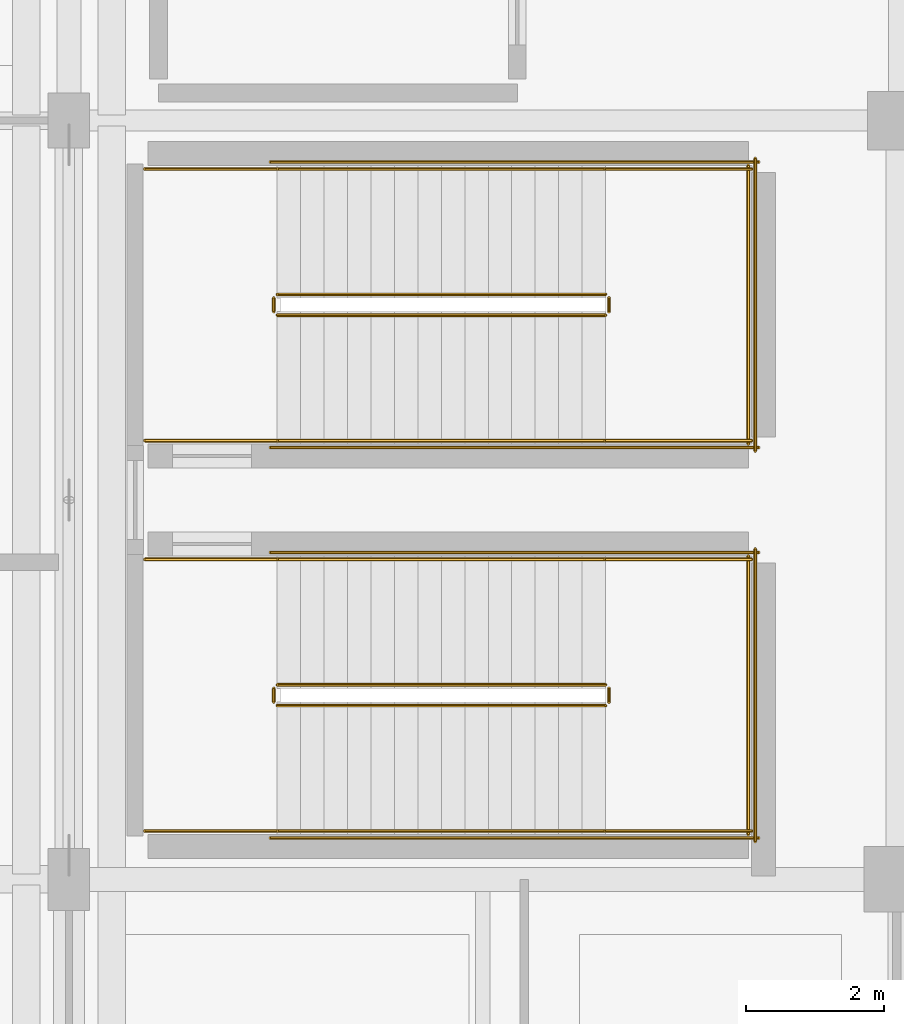
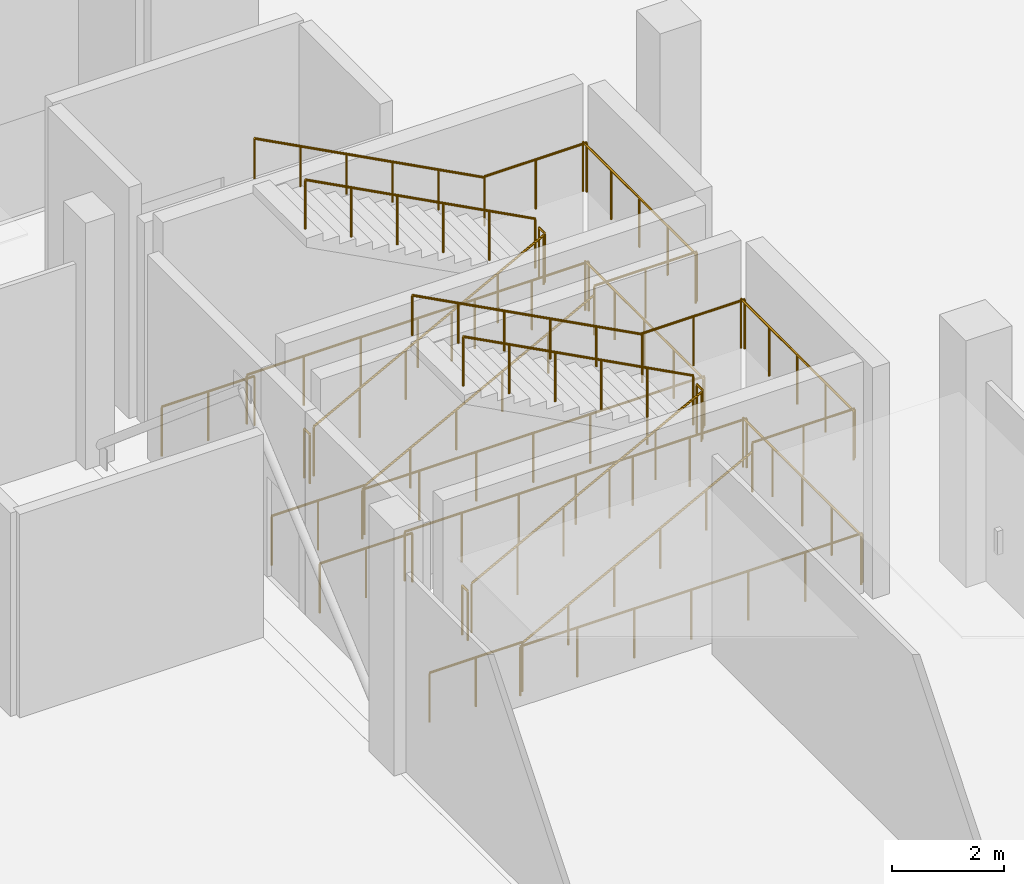
# One storey, part 104 of 120: 28 railings.
"""IFC4 building model written with IfcOpenShell, lengths in metres."""

from ifc_helpers import new_model, si_unit, direction, frame, origin, origin_2d, place, context, subcontext, project, spatial, circle, extrude, material, type_object, element, save


model = new_model("IFC4")

# Units and contexts
model_context = context("Model", 3, precision=1e-05, world=origin(), true_north=direction((0.0, 1.0)))
body_context = subcontext(model_context, "Body", "Model", "MODEL_VIEW")
ifc_project = project(units=[si_unit("LENGTHUNIT", "METRE"), si_unit("AREAUNIT", "SQUARE_METRE"), si_unit("VOLUMEUNIT", "CUBIC_METRE"), si_unit("PLANEANGLEUNIT", "RADIAN"), si_unit("MASSUNIT", "GRAM", prefix="KILO")], contexts=[model_context])

# Site, building, storey
site_placement = place(None, origin())
site = spatial("IfcSite", under=ifc_project, at=site_placement, CompositionType="ELEMENT")
building_placement = place(site_placement, origin())
building = spatial("IfcBuilding", under=site, at=building_placement, Name="Luwafu Chhajja Arena", CompositionType="ELEMENT")
storey_placement = place(building_placement, origin())
storey = spatial("IfcBuildingStorey", under=building, at=storey_placement, Name="L00", CompositionType="ELEMENT", Elevation=0.0)

# Railings
ifc_material_1 = material(Name="Stainless steel handrail", Category="steel")
railing_type_1 = type_object("IfcRailingType", Name="Stair Pitch Wall Handrail 920", PredefinedType="HANDRAIL", material=ifc_material_1)
railing_1_placement = place(storey_placement, frame((37.02001953125, 77.699951171875, 0.179931640625)))
element("IfcRailing", 1, at=railing_1_placement, inside=storey, type_object=railing_type_1, Name="L00 ST-05 stair handrail 1", PredefinedType="HANDRAIL", context=body_context, shape_type="SweptSolid", body=[
    extrude(circle(Radius=0.02392578125, at=origin_2d()), frame((0.0, 0.0, 0.8759765625), z_axis=(0.883786813738, 0.0, 0.467889803119), x_axis=(0.0, 1.0, 0.0)), (0.0, 0.0, 1.0), 5.385986328125),
    extrude(circle(Radius=0.02099609375, at=origin_2d()), origin(), (0.0, 0.0, 1.0), 0.851806640625),
    extrude(circle(Radius=0.02099609375, at=origin_2d()), frame((0.951904296875, 0.0, 0.50390625)), (0.0, 0.0, 1.0), 0.851806640625),
    extrude(circle(Radius=0.02099609375, at=origin_2d()), frame((1.904052734375, 0.0, 1.008056640625)), (0.0, 0.0, 1.0), 0.851806640625),
    extrude(circle(Radius=0.02099609375, at=origin_2d()), frame((2.85595703125, 0.0, 1.511962890625)), (0.0, 0.0, 1.0), 0.851806640625),
    extrude(circle(Radius=0.02099609375, at=origin_2d()), frame((3.80810546875, 0.0, 2.01611328125)), (0.0, 0.0, 1.0), 0.851806640625),
    extrude(circle(Radius=0.02099609375, at=origin_2d()), frame((4.760009765625, 0.0, 2.52001953125)), (0.0, 0.0, 1.0), 0.851806640625),
])
railing_2_placement = place(storey_placement, frame((41.780029296875, 81.639892578125, 2.8798828125)))
element("IfcRailing", 2, at=railing_2_placement, inside=storey, type_object=railing_type_1, Name="L00 ST-05 stair handrail 2", PredefinedType="HANDRAIL", context=body_context, shape_type="SweptSolid", body=[
    extrude(circle(Radius=0.02392578125, at=origin_2d()), frame((0.0, 0.0, 0.8759765625), z_axis=(-0.883786813738, 0.0, 0.467889803119), x_axis=(0.0, -1.0, 0.0)), (0.0, 0.0, 1.0), 5.385986328125),
    extrude(circle(Radius=0.02099609375, at=origin_2d()), origin(), (0.0, 0.0, 1.0), 0.851806640625),
    extrude(circle(Radius=0.02099609375, at=origin_2d()), frame((-0.951904296875, 0.0, 0.50390625)), (0.0, 0.0, 1.0), 0.851806640625),
    extrude(circle(Radius=0.02099609375, at=origin_2d()), frame((-1.904052734375, 0.0, 1.008056640625)), (0.0, 0.0, 1.0), 0.851806640625),
    extrude(circle(Radius=0.02099609375, at=origin_2d()), frame((-2.85595703125, 0.0, 1.511962890625)), (0.0, 0.0, 1.0), 0.851806640625),
    extrude(circle(Radius=0.02099609375, at=origin_2d()), frame((-3.80810546875, 0.0, 2.01611328125)), (0.0, 0.0, 1.0), 0.851806640625),
    extrude(circle(Radius=0.02099609375, at=origin_2d()), frame((-4.760009765625, 0.0, 2.52001953125)), (0.0, 0.0, 1.0), 0.851806640625),
])
railing_3_placement = place(storey_placement, frame((37.02001953125, 83.360107421875, 0.179931640625)))
element("IfcRailing", 3, at=railing_3_placement, inside=storey, type_object=railing_type_1, Name="L00 ST-06 stair handrail 1", PredefinedType="HANDRAIL", context=body_context, shape_type="SweptSolid", body=[
    extrude(circle(Radius=0.02392578125, at=origin_2d()), frame((0.0, 0.0, 0.8759765625), z_axis=(0.883786813738, 0.0, 0.467889803119), x_axis=(0.0, 1.0, 0.0)), (0.0, 0.0, 1.0), 5.385986328125),
    extrude(circle(Radius=0.02099609375, at=origin_2d()), origin(), (0.0, 0.0, 1.0), 0.851806640625),
    extrude(circle(Radius=0.02099609375, at=origin_2d()), frame((0.951904296875, 0.0, 0.50390625)), (0.0, 0.0, 1.0), 0.851806640625),
    extrude(circle(Radius=0.02099609375, at=origin_2d()), frame((1.904052734375, 0.0, 1.008056640625)), (0.0, 0.0, 1.0), 0.851806640625),
    extrude(circle(Radius=0.02099609375, at=origin_2d()), frame((2.85595703125, 0.0, 1.511962890625)), (0.0, 0.0, 1.0), 0.851806640625),
    extrude(circle(Radius=0.02099609375, at=origin_2d()), frame((3.80810546875, 0.0, 2.01611328125)), (0.0, 0.0, 1.0), 0.851806640625),
    extrude(circle(Radius=0.02099609375, at=origin_2d()), frame((4.760009765625, 0.0, 2.52001953125)), (0.0, 0.0, 1.0), 0.851806640625),
])
railing_4_placement = place(storey_placement, frame((41.780029296875, 87.300048828125, 2.8798828125)))
element("IfcRailing", 4, at=railing_4_placement, inside=storey, type_object=railing_type_1, Name="L00 ST-06 stair handrail 2", PredefinedType="HANDRAIL", context=body_context, shape_type="SweptSolid", body=[
    extrude(circle(Radius=0.02392578125, at=origin_2d()), frame((0.0, 0.0, 0.8759765625), z_axis=(-0.883786813738, 0.0, 0.467889803119), x_axis=(0.0, -1.0, 0.0)), (0.0, 0.0, 1.0), 5.385986328125),
    extrude(circle(Radius=0.02099609375, at=origin_2d()), origin(), (0.0, 0.0, 1.0), 0.851806640625),
    extrude(circle(Radius=0.02099609375, at=origin_2d()), frame((-0.951904296875, 0.0, 0.50390625)), (0.0, 0.0, 1.0), 0.851806640625),
    extrude(circle(Radius=0.02099609375, at=origin_2d()), frame((-1.904052734375, 0.0, 1.008056640625)), (0.0, 0.0, 1.0), 0.851806640625),
    extrude(circle(Radius=0.02099609375, at=origin_2d()), frame((-2.85595703125, 0.0, 1.511962890625)), (0.0, 0.0, 1.0), 0.851806640625),
    extrude(circle(Radius=0.02099609375, at=origin_2d()), frame((-3.80810546875, 0.0, 2.01611328125)), (0.0, 0.0, 1.0), 0.851806640625),
    extrude(circle(Radius=0.02099609375, at=origin_2d()), frame((-4.760009765625, 0.0, 2.52001953125)), (0.0, 0.0, 1.0), 0.851806640625),
])
ifc_material_2 = material(Name="Stainless steel balustrade", Category="steel")
railing_type_2 = type_object("IfcRailingType", Name="Stair and Terrace Guard Balustrade 1100", PredefinedType="BALUSTRADE", material=ifc_material_2)
railing_5_placement = place(storey_placement, frame((37.02001953125, 79.52001953125, 0.179931640625)))
element("IfcRailing", 5, at=railing_5_placement, inside=storey, type_object=railing_type_2, Name="L00 ST-05 stair guard 1", PredefinedType="BALUSTRADE", context=body_context, shape_type="SweptSolid", body=[
    extrude(circle(Radius=0.02392578125, at=origin_2d()), frame((0.0, 0.0, 1.076171875), z_axis=(0.883786813738, 0.0, 0.467889803119), x_axis=(0.0, 1.0, 0.0)), (0.0, 0.0, 1.0), 5.385986328125),
    extrude(circle(Radius=0.02099609375, at=origin_2d()), origin(), (0.0, 0.0, 1.0), 1.052001953125),
    extrude(circle(Radius=0.02099609375, at=origin_2d()), frame((0.951904296875, 0.0, 0.50390625)), (0.0, 0.0, 1.0), 1.052001953125),
    extrude(circle(Radius=0.02099609375, at=origin_2d()), frame((1.904052734375, 0.0, 1.008056640625)), (0.0, 0.0, 1.0), 1.052001953125),
    extrude(circle(Radius=0.02099609375, at=origin_2d()), frame((2.85595703125, 0.0, 1.511962890625)), (0.0, 0.0, 1.0), 1.052001953125),
    extrude(circle(Radius=0.02099609375, at=origin_2d()), frame((3.80810546875, 0.0, 2.01611328125)), (0.0, 0.0, 1.0), 1.052001953125),
    extrude(circle(Radius=0.02099609375, at=origin_2d()), frame((4.760009765625, 0.0, 2.52001953125)), (0.0, 0.0, 1.0), 1.052001953125),
])
railing_6_placement = place(storey_placement, frame((41.830078125, 79.570068359375, 2.699951171875)))
element("IfcRailing", 6, at=railing_6_placement, inside=storey, type_object=railing_type_2, Name="L00 ST-05 stair guard 2", PredefinedType="BALUSTRADE", context=body_context, shape_type="SweptSolid", body=[
    extrude(circle(Radius=0.02392578125, at=origin_2d()), frame((0.0, 0.0, 1.076171875), z_axis=(0.0, 1.0, 0.0), x_axis=(-1.0, 0.0, 0.0)), (0.0, 0.0, 1.0), 0.199951171875),
    extrude(circle(Radius=0.02099609375, at=origin_2d()), origin(), (0.0, 0.0, 1.0), 1.052001953125),
    extrude(circle(Radius=0.02099609375, at=origin_2d()), frame((0.0, 0.199951171875, 0.0)), (0.0, 0.0, 1.0), 1.052001953125),
])
for number, where, name in (
    (7, (41.780029296875, 77.699951171875, 2.699951171875), "L00 ST-05 stair guard 3"),
    (8, (41.780029296875, 81.639892578125, 2.699951171875), "L00 ST-05 stair guard 4"),
):
    element("IfcRailing", number, at=place(storey_placement, frame(where)), inside=storey, type_object=railing_type_2, Name=name, PredefinedType="BALUSTRADE", context=body_context, shape_type="SweptSolid", body=[
        extrude(circle(Radius=0.02392578125, at=origin_2d()), frame((0.0, 0.0, 1.076171875), z_axis=(1.0, 0.0, 0.0), x_axis=(0.0, 1.0, 0.0)), (0.0, 0.0, 1.0), 2.119873046875),
        extrude(circle(Radius=0.02099609375, at=origin_2d()), origin(), (0.0, 0.0, 1.0), 1.052001953125),
        extrude(circle(Radius=0.02099609375, at=origin_2d()), frame((1.06005859375, 0.0, 0.0)), (0.0, 0.0, 1.0), 1.052001953125),
        extrude(circle(Radius=0.02099609375, at=origin_2d()), frame((2.119873046875, 0.0, 0.0)), (0.0, 0.0, 1.0), 1.052001953125),
    ])
railing_7_placement = place(storey_placement, frame((43.85009765625, 77.64990234375, 2.699951171875)))
element("IfcRailing", 9, at=railing_7_placement, inside=storey, type_object=railing_type_2, Name="L00 ST-05 stair guard 5", PredefinedType="BALUSTRADE", context=body_context, shape_type="SweptSolid", body=[
    extrude(circle(Radius=0.02392578125, at=origin_2d()), frame((0.0, 0.0, 1.076171875), z_axis=(0.0, 1.0, 0.0), x_axis=(-1.0, 0.0, 0.0)), (0.0, 0.0, 1.0), 4.0400390625),
    extrude(circle(Radius=0.02099609375, at=origin_2d()), origin(), (0.0, 0.0, 1.0), 1.052001953125),
    extrude(circle(Radius=0.02099609375, at=origin_2d()), frame((0.0, 1.010009765625, 0.0)), (0.0, 0.0, 1.0), 1.052001953125),
    extrude(circle(Radius=0.02099609375, at=origin_2d()), frame((0.0, 2.02001953125, 0.0)), (0.0, 0.0, 1.0), 1.052001953125),
    extrude(circle(Radius=0.02099609375, at=origin_2d()), frame((0.0, 3.030029296875, 0.0)), (0.0, 0.0, 1.0), 1.052001953125),
    extrude(circle(Radius=0.02099609375, at=origin_2d()), frame((0.0, 4.0400390625, 0.0)), (0.0, 0.0, 1.0), 1.052001953125),
])
railing_8_placement = place(storey_placement, frame((41.780029296875, 79.820068359375, 2.8798828125)))
element("IfcRailing", 10, at=railing_8_placement, inside=storey, type_object=railing_type_2, Name="L00 ST-05 stair guard 6", PredefinedType="BALUSTRADE", context=body_context, shape_type="SweptSolid", body=[
    extrude(circle(Radius=0.02392578125, at=origin_2d()), frame((0.0, 0.0, 1.076171875), z_axis=(-0.883786813738, 0.0, 0.467889803119), x_axis=(0.0, -1.0, 0.0)), (0.0, 0.0, 1.0), 5.385986328125),
    extrude(circle(Radius=0.02099609375, at=origin_2d()), origin(), (0.0, 0.0, 1.0), 1.052001953125),
    extrude(circle(Radius=0.02099609375, at=origin_2d()), frame((-0.951904296875, 0.0, 0.50390625)), (0.0, 0.0, 1.0), 1.052001953125),
    extrude(circle(Radius=0.02099609375, at=origin_2d()), frame((-1.904052734375, 0.0, 1.008056640625)), (0.0, 0.0, 1.0), 1.052001953125),
    extrude(circle(Radius=0.02099609375, at=origin_2d()), frame((-2.85595703125, 0.0, 1.511962890625)), (0.0, 0.0, 1.0), 1.052001953125),
    extrude(circle(Radius=0.02099609375, at=origin_2d()), frame((-3.80810546875, 0.0, 2.01611328125)), (0.0, 0.0, 1.0), 1.052001953125),
    extrude(circle(Radius=0.02099609375, at=origin_2d()), frame((-4.760009765625, 0.0, 2.52001953125)), (0.0, 0.0, 1.0), 1.052001953125),
])
railing_9_placement = place(storey_placement, frame((36.969970703125, 79.570068359375, 0.0)))
element("IfcRailing", 11, at=railing_9_placement, inside=storey, type_object=railing_type_2, Name="L00 ST-05 stair guard 7", PredefinedType="BALUSTRADE", context=body_context, shape_type="SweptSolid", body=[
    extrude(circle(Radius=0.02392578125, at=origin_2d()), frame((0.0, 0.0, 1.076171875), z_axis=(0.0, 1.0, 0.0), x_axis=(-1.0, 0.0, 0.0)), (0.0, 0.0, 1.0), 0.199951171875),
    extrude(circle(Radius=0.02099609375, at=origin_2d()), origin(), (0.0, 0.0, 1.0), 1.052001953125),
    extrude(circle(Radius=0.02099609375, at=origin_2d()), frame((0.0, 0.199951171875, 0.0)), (0.0, 0.0, 1.0), 1.052001953125),
])
for number, where, name in (
    (12, (35.10009765625, 77.699951171875, 0.0), "L00 ST-05 stair guard 8"),
    (13, (35.10009765625, 81.639892578125, 0.0), "L00 ST-05 stair guard 9"),
):
    element("IfcRailing", number, at=place(storey_placement, frame(where)), inside=storey, type_object=railing_type_2, Name=name, PredefinedType="BALUSTRADE", context=body_context, shape_type="SweptSolid", body=[
        extrude(circle(Radius=0.02392578125, at=origin_2d()), frame((0.0, 0.0, 1.076171875), z_axis=(1.0, 0.0, 0.0), x_axis=(0.0, 1.0, 0.0)), (0.0, 0.0, 1.0), 1.919921875),
        extrude(circle(Radius=0.02099609375, at=origin_2d()), origin(), (0.0, 0.0, 1.0), 1.052001953125),
        extrude(circle(Radius=0.02099609375, at=origin_2d()), frame((0.9599609375, 0.0, 0.0)), (0.0, 0.0, 1.0), 1.052001953125),
        extrude(circle(Radius=0.02099609375, at=origin_2d()), frame((1.919921875, 0.0, 0.0)), (0.0, 0.0, 1.0), 1.052001953125),
    ])
for number, where, name in (
    (14, (36.919921875, 77.60009765625, 0.0), "L00 ST-05 stair guard 10"),
    (15, (36.919921875, 81.739990234375, 0.0), "L00 ST-05 stair guard 11"),
):
    element("IfcRailing", number, at=place(storey_placement, frame(where)), inside=storey, type_object=railing_type_2, Name=name, PredefinedType="BALUSTRADE", context=body_context, shape_type="SweptSolid", body=[
        extrude(circle(Radius=0.02392578125, at=origin_2d()), frame((0.0, 0.0, 1.076171875), z_axis=(1.0, 0.0, 0.0), x_axis=(0.0, 1.0, 0.0)), (0.0, 0.0, 1.0), 7.080078125),
        extrude(circle(Radius=0.02099609375, at=origin_2d()), origin(), (0.0, 0.0, 1.0), 1.052001953125),
        extrude(circle(Radius=0.02099609375, at=origin_2d()), frame((1.179931640625, 0.0, 0.0)), (0.0, 0.0, 1.0), 1.052001953125),
        extrude(circle(Radius=0.02099609375, at=origin_2d()), frame((2.360107421875, 0.0, 0.0)), (0.0, 0.0, 1.0), 1.052001953125),
        extrude(circle(Radius=0.02099609375, at=origin_2d()), frame((3.5400390625, 0.0, 0.0)), (0.0, 0.0, 1.0), 1.052001953125),
        extrude(circle(Radius=0.02099609375, at=origin_2d()), frame((4.719970703125, 0.0, 0.0)), (0.0, 0.0, 1.0), 1.052001953125),
        extrude(circle(Radius=0.02099609375, at=origin_2d()), frame((5.900146484375, 0.0, 0.0)), (0.0, 0.0, 1.0), 1.052001953125),
        extrude(circle(Radius=0.02099609375, at=origin_2d()), frame((7.080078125, 0.0, 0.0)), (0.0, 0.0, 1.0), 1.052001953125),
    ])
railing_10_placement = place(storey_placement, frame((43.949951171875, 77.550048828125, 0.0)))
element("IfcRailing", 16, at=railing_10_placement, inside=storey, type_object=railing_type_2, Name="L00 ST-05 stair guard 12", PredefinedType="BALUSTRADE", context=body_context, shape_type="SweptSolid", body=[
    extrude(circle(Radius=0.02392578125, at=origin_2d()), frame((0.0, 0.0, 1.076171875), z_axis=(0.0, 1.0, 0.0), x_axis=(-1.0, 0.0, 0.0)), (0.0, 0.0, 1.0), 4.239990234375),
    extrude(circle(Radius=0.02099609375, at=origin_2d()), origin(), (0.0, 0.0, 1.0), 1.052001953125),
    extrude(circle(Radius=0.02099609375, at=origin_2d()), frame((0.0, 1.06005859375, 0.0)), (0.0, 0.0, 1.0), 1.052001953125),
    extrude(circle(Radius=0.02099609375, at=origin_2d()), frame((0.0, 2.1201171875, 0.0)), (0.0, 0.0, 1.0), 1.052001953125),
    extrude(circle(Radius=0.02099609375, at=origin_2d()), frame((0.0, 3.179931640625, 0.0)), (0.0, 0.0, 1.0), 1.052001953125),
    extrude(circle(Radius=0.02099609375, at=origin_2d()), frame((0.0, 4.239990234375, 0.0)), (0.0, 0.0, 1.0), 1.052001953125),
])
railing_11_placement = place(storey_placement, frame((37.02001953125, 85.179931640625, 0.179931640625)))
element("IfcRailing", 17, at=railing_11_placement, inside=storey, type_object=railing_type_2, Name="L00 ST-06 stair guard 1", PredefinedType="BALUSTRADE", context=body_context, shape_type="SweptSolid", body=[
    extrude(circle(Radius=0.02392578125, at=origin_2d()), frame((0.0, 0.0, 1.076171875), z_axis=(0.883786813738, 0.0, 0.467889803119), x_axis=(0.0, 1.0, 0.0)), (0.0, 0.0, 1.0), 5.385986328125),
    extrude(circle(Radius=0.02099609375, at=origin_2d()), origin(), (0.0, 0.0, 1.0), 1.052001953125),
    extrude(circle(Radius=0.02099609375, at=origin_2d()), frame((0.951904296875, 0.0, 0.50390625)), (0.0, 0.0, 1.0), 1.052001953125),
    extrude(circle(Radius=0.02099609375, at=origin_2d()), frame((1.904052734375, 0.0, 1.008056640625)), (0.0, 0.0, 1.0), 1.052001953125),
    extrude(circle(Radius=0.02099609375, at=origin_2d()), frame((2.85595703125, 0.0, 1.511962890625)), (0.0, 0.0, 1.0), 1.052001953125),
    extrude(circle(Radius=0.02099609375, at=origin_2d()), frame((3.80810546875, 0.0, 2.01611328125)), (0.0, 0.0, 1.0), 1.052001953125),
    extrude(circle(Radius=0.02099609375, at=origin_2d()), frame((4.760009765625, 0.0, 2.52001953125)), (0.0, 0.0, 1.0), 1.052001953125),
])
railing_12_placement = place(storey_placement, frame((41.830078125, 85.22998046875, 2.699951171875)))
element("IfcRailing", 18, at=railing_12_placement, inside=storey, type_object=railing_type_2, Name="L00 ST-06 stair guard 2", PredefinedType="BALUSTRADE", context=body_context, shape_type="SweptSolid", body=[
    extrude(circle(Radius=0.02392578125, at=origin_2d()), frame((0.0, 0.0, 1.076171875), z_axis=(0.0, 1.0, 0.0), x_axis=(-1.0, 0.0, 0.0)), (0.0, 0.0, 1.0), 0.199951171875),
    extrude(circle(Radius=0.02099609375, at=origin_2d()), origin(), (0.0, 0.0, 1.0), 1.052001953125),
    extrude(circle(Radius=0.02099609375, at=origin_2d()), frame((0.0, 0.199951171875, 0.0)), (0.0, 0.0, 1.0), 1.052001953125),
])
for number, where, name in (
    (19, (41.780029296875, 83.360107421875, 2.699951171875), "L00 ST-06 stair guard 3"),
    (20, (41.780029296875, 87.300048828125, 2.699951171875), "L00 ST-06 stair guard 4"),
):
    element("IfcRailing", number, at=place(storey_placement, frame(where)), inside=storey, type_object=railing_type_2, Name=name, PredefinedType="BALUSTRADE", context=body_context, shape_type="SweptSolid", body=[
        extrude(circle(Radius=0.02392578125, at=origin_2d()), frame((0.0, 0.0, 1.076171875), z_axis=(1.0, 0.0, 0.0), x_axis=(0.0, 1.0, 0.0)), (0.0, 0.0, 1.0), 2.119873046875),
        extrude(circle(Radius=0.02099609375, at=origin_2d()), origin(), (0.0, 0.0, 1.0), 1.052001953125),
        extrude(circle(Radius=0.02099609375, at=origin_2d()), frame((1.06005859375, 0.0, 0.0)), (0.0, 0.0, 1.0), 1.052001953125),
        extrude(circle(Radius=0.02099609375, at=origin_2d()), frame((2.119873046875, 0.0, 0.0)), (0.0, 0.0, 1.0), 1.052001953125),
    ])
railing_13_placement = place(storey_placement, frame((43.85009765625, 83.31005859375, 2.699951171875)))
element("IfcRailing", 21, at=railing_13_placement, inside=storey, type_object=railing_type_2, Name="L00 ST-06 stair guard 5", PredefinedType="BALUSTRADE", context=body_context, shape_type="SweptSolid", body=[
    extrude(circle(Radius=0.02392578125, at=origin_2d()), frame((0.0, 0.0, 1.076171875), z_axis=(0.0, 1.0, 0.0), x_axis=(-1.0, 0.0, 0.0)), (0.0, 0.0, 1.0), 4.0400390625),
    extrude(circle(Radius=0.02099609375, at=origin_2d()), origin(), (0.0, 0.0, 1.0), 1.052001953125),
    extrude(circle(Radius=0.02099609375, at=origin_2d()), frame((0.0, 1.010009765625, 0.0)), (0.0, 0.0, 1.0), 1.052001953125),
    extrude(circle(Radius=0.02099609375, at=origin_2d()), frame((0.0, 2.02001953125, 0.0)), (0.0, 0.0, 1.0), 1.052001953125),
    extrude(circle(Radius=0.02099609375, at=origin_2d()), frame((0.0, 3.030029296875, 0.0)), (0.0, 0.0, 1.0), 1.052001953125),
    extrude(circle(Radius=0.02099609375, at=origin_2d()), frame((0.0, 4.0400390625, 0.0)), (0.0, 0.0, 1.0), 1.052001953125),
])
railing_14_placement = place(storey_placement, frame((41.780029296875, 85.47998046875, 2.8798828125)))
element("IfcRailing", 22, at=railing_14_placement, inside=storey, type_object=railing_type_2, Name="L00 ST-06 stair guard 6", PredefinedType="BALUSTRADE", context=body_context, shape_type="SweptSolid", body=[
    extrude(circle(Radius=0.02392578125, at=origin_2d()), frame((0.0, 0.0, 1.076171875), z_axis=(-0.883786813738, 0.0, 0.467889803119), x_axis=(0.0, -1.0, 0.0)), (0.0, 0.0, 1.0), 5.385986328125),
    extrude(circle(Radius=0.02099609375, at=origin_2d()), origin(), (0.0, 0.0, 1.0), 1.052001953125),
    extrude(circle(Radius=0.02099609375, at=origin_2d()), frame((-0.951904296875, 0.0, 0.50390625)), (0.0, 0.0, 1.0), 1.052001953125),
    extrude(circle(Radius=0.02099609375, at=origin_2d()), frame((-1.904052734375, 0.0, 1.008056640625)), (0.0, 0.0, 1.0), 1.052001953125),
    extrude(circle(Radius=0.02099609375, at=origin_2d()), frame((-2.85595703125, 0.0, 1.511962890625)), (0.0, 0.0, 1.0), 1.052001953125),
    extrude(circle(Radius=0.02099609375, at=origin_2d()), frame((-3.80810546875, 0.0, 2.01611328125)), (0.0, 0.0, 1.0), 1.052001953125),
    extrude(circle(Radius=0.02099609375, at=origin_2d()), frame((-4.760009765625, 0.0, 2.52001953125)), (0.0, 0.0, 1.0), 1.052001953125),
])
railing_15_placement = place(storey_placement, frame((36.969970703125, 85.22998046875, 0.0)))
element("IfcRailing", 23, at=railing_15_placement, inside=storey, type_object=railing_type_2, Name="L00 ST-06 stair guard 7", PredefinedType="BALUSTRADE", context=body_context, shape_type="SweptSolid", body=[
    extrude(circle(Radius=0.02392578125, at=origin_2d()), frame((0.0, 0.0, 1.076171875), z_axis=(0.0, 1.0, 0.0), x_axis=(-1.0, 0.0, 0.0)), (0.0, 0.0, 1.0), 0.199951171875),
    extrude(circle(Radius=0.02099609375, at=origin_2d()), origin(), (0.0, 0.0, 1.0), 1.052001953125),
    extrude(circle(Radius=0.02099609375, at=origin_2d()), frame((0.0, 0.199951171875, 0.0)), (0.0, 0.0, 1.0), 1.052001953125),
])
for number, where, name in (
    (24, (35.10009765625, 83.360107421875, 0.0), "L00 ST-06 stair guard 8"),
    (25, (35.10009765625, 87.300048828125, 0.0), "L00 ST-06 stair guard 9"),
):
    element("IfcRailing", number, at=place(storey_placement, frame(where)), inside=storey, type_object=railing_type_2, Name=name, PredefinedType="BALUSTRADE", context=body_context, shape_type="SweptSolid", body=[
        extrude(circle(Radius=0.02392578125, at=origin_2d()), frame((0.0, 0.0, 1.076171875), z_axis=(1.0, 0.0, 0.0), x_axis=(0.0, 1.0, 0.0)), (0.0, 0.0, 1.0), 1.919921875),
        extrude(circle(Radius=0.02099609375, at=origin_2d()), origin(), (0.0, 0.0, 1.0), 1.052001953125),
        extrude(circle(Radius=0.02099609375, at=origin_2d()), frame((0.9599609375, 0.0, 0.0)), (0.0, 0.0, 1.0), 1.052001953125),
        extrude(circle(Radius=0.02099609375, at=origin_2d()), frame((1.919921875, 0.0, 0.0)), (0.0, 0.0, 1.0), 1.052001953125),
    ])
for number, where, name in (
    (26, (36.919921875, 83.260009765625, 0.0), "L00 ST-06 stair guard 10"),
    (27, (36.919921875, 87.39990234375, 0.0), "L00 ST-06 stair guard 11"),
):
    element("IfcRailing", number, at=place(storey_placement, frame(where)), inside=storey, type_object=railing_type_2, Name=name, PredefinedType="BALUSTRADE", context=body_context, shape_type="SweptSolid", body=[
        extrude(circle(Radius=0.02392578125, at=origin_2d()), frame((0.0, 0.0, 1.076171875), z_axis=(1.0, 0.0, 0.0), x_axis=(0.0, 1.0, 0.0)), (0.0, 0.0, 1.0), 7.080078125),
        extrude(circle(Radius=0.02099609375, at=origin_2d()), origin(), (0.0, 0.0, 1.0), 1.052001953125),
        extrude(circle(Radius=0.02099609375, at=origin_2d()), frame((1.179931640625, 0.0, 0.0)), (0.0, 0.0, 1.0), 1.052001953125),
        extrude(circle(Radius=0.02099609375, at=origin_2d()), frame((2.360107421875, 0.0, 0.0)), (0.0, 0.0, 1.0), 1.052001953125),
        extrude(circle(Radius=0.02099609375, at=origin_2d()), frame((3.5400390625, 0.0, 0.0)), (0.0, 0.0, 1.0), 1.052001953125),
        extrude(circle(Radius=0.02099609375, at=origin_2d()), frame((4.719970703125, 0.0, 0.0)), (0.0, 0.0, 1.0), 1.052001953125),
        extrude(circle(Radius=0.02099609375, at=origin_2d()), frame((5.900146484375, 0.0, 0.0)), (0.0, 0.0, 1.0), 1.052001953125),
        extrude(circle(Radius=0.02099609375, at=origin_2d()), frame((7.080078125, 0.0, 0.0)), (0.0, 0.0, 1.0), 1.052001953125),
    ])
railing_16_placement = place(storey_placement, frame((43.949951171875, 83.2099609375, 0.0)))
element("IfcRailing", 28, at=railing_16_placement, inside=storey, type_object=railing_type_2, Name="L00 ST-06 stair guard 12", PredefinedType="BALUSTRADE", context=body_context, shape_type="SweptSolid", body=[
    extrude(circle(Radius=0.02392578125, at=origin_2d()), frame((0.0, 0.0, 1.076171875), z_axis=(0.0, 1.0, 0.0), x_axis=(-1.0, 0.0, 0.0)), (0.0, 0.0, 1.0), 4.239990234375),
    extrude(circle(Radius=0.02099609375, at=origin_2d()), origin(), (0.0, 0.0, 1.0), 1.052001953125),
    extrude(circle(Radius=0.02099609375, at=origin_2d()), frame((0.0, 1.06005859375, 0.0)), (0.0, 0.0, 1.0), 1.052001953125),
    extrude(circle(Radius=0.02099609375, at=origin_2d()), frame((0.0, 2.1201171875, 0.0)), (0.0, 0.0, 1.0), 1.052001953125),
    extrude(circle(Radius=0.02099609375, at=origin_2d()), frame((0.0, 3.179931640625, 0.0)), (0.0, 0.0, 1.0), 1.052001953125),
    extrude(circle(Radius=0.02099609375, at=origin_2d()), frame((0.0, 4.239990234375, 0.0)), (0.0, 0.0, 1.0), 1.052001953125),
])

save(model, "model.ifc")
